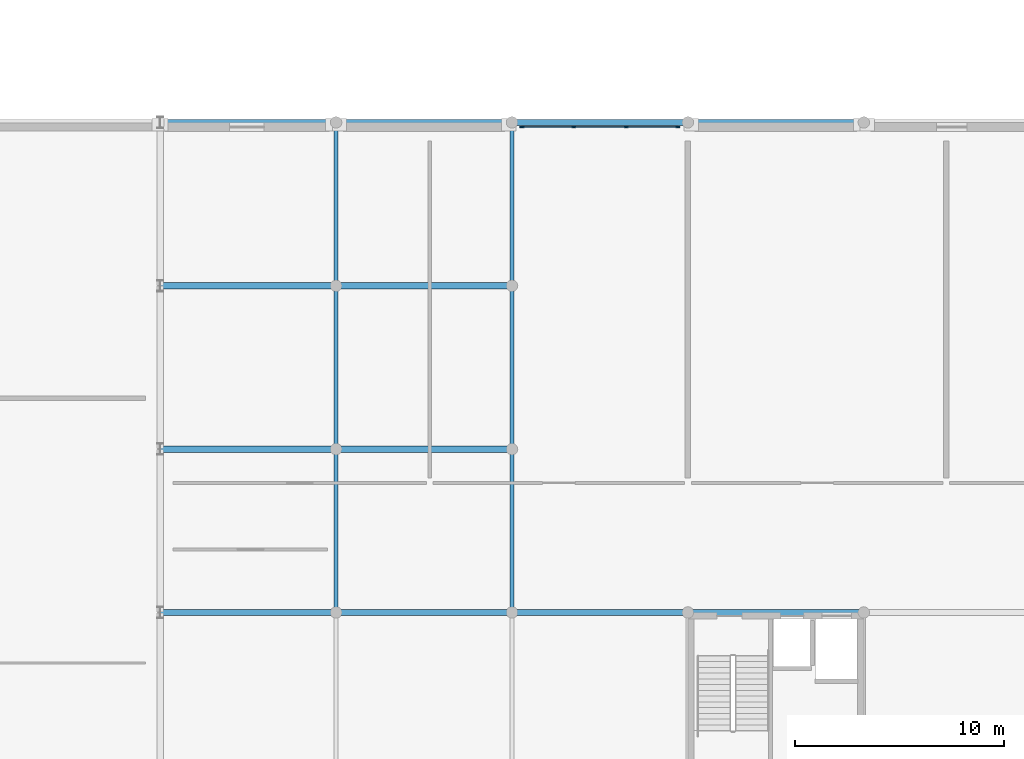
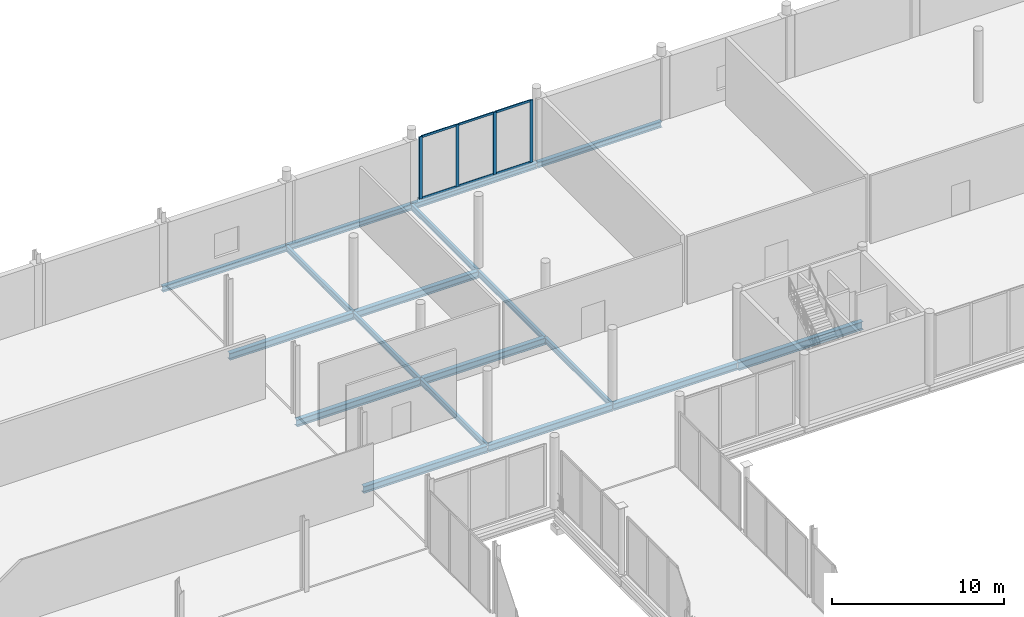
# One storey, part 51 of 105: 18 beams, 10 members, 1 element without a shape of its own.
"""IFC4 building model written with IfcOpenShell, lengths in metres."""

import ifcopenshell
import ifcopenshell.guid

model = None  # the IFC model being written
_history = None  # IfcOwnerHistory: only IFC2X3 demands one
_inside = {}  # id of a spatial element -> (the spatial element, [elements in it])
_under = {}  # id of a project, library or spatial element -> (it, [spatial elements below it])
_declared = {}  # id of a project -> (the project, [libraries it declares])
_typed = {}  # id of a type object -> (the type object, [elements of that type])
_made_of = {}  # id of a material, layer set ... -> (it, [elements and type objects made of it])


def new_model(schema):
    """Start an empty IFC model of exactly this schema.

    Asked for "IFC4X3", IfcOpenShell would pick the latest addendum, in which some entities
    have other attributes; the version numbers below select the first issue.
    IFC2X3 requires an IfcOwnerHistory on every rooted entity: one is made here for all.
    """
    global model, _history
    if schema == "IFC4X3":
        model = ifcopenshell.file(schema_version=(4, 3, 0, 0))
    else:
        model = ifcopenshell.file(schema=schema)
    _inside.clear()
    _under.clear()
    _declared.clear()
    _typed.clear()
    _made_of.clear()
    _history = None
    if model.schema == "IFC2X3":
        org = make("IfcOrganization", Name="unknown")
        user = make(
            "IfcPersonAndOrganization",
            ThePerson=make("IfcPerson", FamilyName="unknown"),
            TheOrganization=org,
        )
        app = make(
            "IfcApplication",
            ApplicationDeveloper=org,
            Version="unknown",
            ApplicationFullName="unknown",
            ApplicationIdentifier="unknown",
        )
        _history = make(
            "IfcOwnerHistory",
            OwningUser=user,
            OwningApplication=app,
            ChangeAction="ADDED",
            CreationDate=0,
        )
    return model


def make(cls, **values):
    """One entity of the class cls with the attributes given. An attribute that is None is left unset."""
    return model.create_entity(
        cls, **{name: value for name, value in values.items() if value is not None}
    )


def rooted(cls, **values):
    """An entity with a GlobalId (a new one), such as an element, a storey or a relation."""
    return make(cls, GlobalId=ifcopenshell.guid.new(), OwnerHistory=_history, **values)


def si_unit(unit_type, name, prefix=None):
    """IfcSIUnit, for example si_unit("LENGTHUNIT", "METRE", prefix="MILLI")."""
    return make("IfcSIUnit", UnitType=unit_type, Prefix=prefix, Name=name)


def assignment(units):
    """IfcUnitAssignment: the units of a project."""
    return None if units is None else make("IfcUnitAssignment", Units=units)


def point(xyz):
    """IfcCartesianPoint."""
    return None if xyz is None else make("IfcCartesianPoint", Coordinates=xyz)


def direction(xyz):
    """IfcDirection."""
    return None if xyz is None else make("IfcDirection", DirectionRatios=xyz)


def frame(location, z_axis=None, x_axis=None):
    """IfcAxis2Placement3D, a coordinate frame: its origin and axes. An axis left out is left unset."""
    return make(
        "IfcAxis2Placement3D",
        Location=point(location),
        Axis=direction(z_axis),
        RefDirection=direction(x_axis),
    )


def frame_2d(location, x_axis=None):
    """IfcAxis2Placement2D, a coordinate frame in the plane: its origin and x axis."""
    return make(
        "IfcAxis2Placement2D", Location=point(location), RefDirection=direction(x_axis)
    )


def origin():
    """The frame at (0, 0, 0) with its axes left unset."""
    return frame((0.0, 0.0, 0.0))


def origin_2d():
    """The frame at (0, 0) in the plane with its x axis left unset."""
    return frame_2d((0.0, 0.0))


def place(relative_to, where):
    """IfcLocalPlacement: puts the frame where relative to a parent placement (None: the world)."""
    return make(
        "IfcLocalPlacement", PlacementRelTo=relative_to, RelativePlacement=where
    )


def context(
    kind, dimensions, precision=None, world=None, true_north=None, identifier=None
):
    """IfcGeometricRepresentationContext, for example the 3D "Model" context."""
    return make(
        "IfcGeometricRepresentationContext",
        ContextIdentifier=identifier,
        ContextType=kind,
        CoordinateSpaceDimension=dimensions,
        Precision=precision,
        WorldCoordinateSystem=world,
        TrueNorth=true_north,
    )


def subcontext(parent, identifier, kind, view, scale=None):
    """IfcGeometricRepresentationSubContext, for example "Body" below "Model"."""
    return make(
        "IfcGeometricRepresentationSubContext",
        ContextIdentifier=identifier,
        ContextType=kind,
        ParentContext=parent,
        TargetScale=scale,
        TargetView=view,
    )


def project(units=None, contexts=None):
    """IfcProject with its units and contexts."""
    return rooted(
        "IfcProject",
        Name="project",
        RepresentationContexts=contexts,
        UnitsInContext=assignment(units),
    )


def spatial(cls, under=None, at=None, **own):
    """A site, building, storey or space (cls), placed at a placement, below another one or the project."""
    s = rooted(cls, ObjectPlacement=at, **own)
    if under is not None:
        _under.setdefault(under.id(), (under, []))[1].append(s)
    return s


def profile(cls, at=None, kind="AREA", **sizes):
    """A parametric profile (cls). Its sizes go by their IFC names, for example OverallWidth=200.0."""
    return make(cls, ProfileType=kind, Position=at, **sizes)


def rectangle(**sizes):
    """IfcRectangleProfileDef."""
    return profile("IfcRectangleProfileDef", **sizes)


def i_section(**sizes):
    """IfcIShapeProfileDef."""
    return profile("IfcIShapeProfileDef", **sizes)


def extrude(swept, where, along, depth):
    """IfcExtrudedAreaSolid: the profile swept, set in the frame where, extruded along a direction by depth."""
    return make(
        "IfcExtrudedAreaSolid",
        SweptArea=swept,
        Position=where,
        ExtrudedDirection=direction(along),
        Depth=depth,
    )


def shape(context_of_items, identifier, shape_type, items):
    """IfcShapeRepresentation: the items that make up one representation, for example the "Body"."""
    return make(
        "IfcShapeRepresentation",
        ContextOfItems=context_of_items,
        RepresentationIdentifier=identifier,
        RepresentationType=shape_type,
        Items=items,
    )


def material(Name=None, Category=None):
    """IfcMaterial."""
    return make("IfcMaterial", Name=Name, Category=Category)


def material_profile(
    of_material, cross_section, Name=None, Category=None, Priority=None
):
    """IfcMaterialProfile: a cross section and its material."""
    return make(
        "IfcMaterialProfile",
        Name=Name,
        Material=of_material,
        Profile=cross_section,
        Priority=Priority,
        Category=Category,
    )


def profile_set(profiles, Name=None, composite=None):
    """IfcMaterialProfileSet."""
    return make(
        "IfcMaterialProfileSet",
        Name=Name,
        MaterialProfiles=profiles,
        CompositeProfile=composite,
    )


def made_of(thing, what):
    """Note that an element or type object is made of a material, layer set ...; save() writes the relation."""
    if what is not None:
        _made_of.setdefault(what.id(), (what, []))[1].append(thing)
    return thing


def type_object(cls, material=None, **own):
    """A type object (cls), such as IfcWallType, which elements share."""
    return made_of(rooted(cls, **own), material)


def element(
    cls,
    number,
    at=None,
    inside=None,
    cuts=None,
    type_object=None,
    material=None,
    context=None,
    identifier="Body",
    shape_type=None,
    held_by="IfcProductDefinitionShape",
    body=None,
    shapes=None,
    **own,
):
    """One element of the class cls, such as IfcWall. Its Tag is "e" and its number.

    at: its placement. inside: the storey or other place that contains it. cuts: it is an
    opening in that element (IfcRelVoidsElement). A single representation is given by context,
    identifier, shape_type and body (its items); several are given by shapes. held_by: the class
    of the entity that holds the representations. save() writes the other relations.
    """
    e = rooted(cls, Tag="e%d" % number, ObjectPlacement=at, **own)
    if body is not None:
        shapes = [shape(context, identifier, shape_type, body)]
    if shapes is not None:
        e.Representation = make(held_by, Representations=shapes)
    if inside is not None:
        _inside.setdefault(inside.id(), (inside, []))[1].append(e)
    if cuts is not None:
        rooted(
            "IfcRelVoidsElement", RelatingBuildingElement=cuts, RelatedOpeningElement=e
        )
    if type_object is not None:
        _typed.setdefault(type_object.id(), (type_object, []))[1].append(e)
    return made_of(e, material)


def aggregate(whole, parts):
    """IfcRelAggregates: a whole, such as a stair, and the parts it consists of."""
    return rooted("IfcRelAggregates", RelatingObject=whole, RelatedObjects=parts)


def save(model, path):
    """Write the relations noted so far, then the file.

    IfcRelAggregates (storeys below a building ...), IfcRelContainedInSpatialStructure (elements
    in a storey), IfcRelDefinesByType, IfcRelAssociatesMaterial and IfcRelDeclares: one each for
    every whole, place, type object, material and project.
    """
    for whole, parts in _under.values():
        aggregate(whole, parts)
    for where, things in _inside.values():
        rooted(
            "IfcRelContainedInSpatialStructure",
            RelatedElements=things,
            RelatingStructure=where,
        )
    for kind, things in _typed.values():
        rooted("IfcRelDefinesByType", RelatedObjects=things, RelatingType=kind)
    for what, things in _made_of.values():
        rooted("IfcRelAssociatesMaterial", RelatedObjects=things, RelatingMaterial=what)
    for by, libraries in _declared.values():
        rooted("IfcRelDeclares", RelatingContext=by, RelatedDefinitions=libraries)
    model.write(path)


model = new_model("IFC4")

# Units and contexts
model_context = context("Model", 3, precision=1e-05, world=origin(), true_north=direction((0.0, 1.0)))
body_context = subcontext(model_context, "Body", "Model", "MODEL_VIEW")
ifc_project = project(units=[si_unit("LENGTHUNIT", "METRE"), si_unit("AREAUNIT", "SQUARE_METRE"), si_unit("VOLUMEUNIT", "CUBIC_METRE"), si_unit("PLANEANGLEUNIT", "RADIAN"), si_unit("MASSUNIT", "GRAM", prefix="KILO")], contexts=[model_context])

# Site, building, storey
site_placement = place(None, origin())
site = spatial("IfcSite", under=ifc_project, at=site_placement, CompositionType="ELEMENT")
building_placement = place(site_placement, origin())
building = spatial("IfcBuilding", under=site, at=building_placement, Name="Nabrawat Pavilion Hospital", CompositionType="ELEMENT")
storey_placement = place(building_placement, frame((0.0, 0.0, 5.10009765625)))
storey = spatial("IfcBuildingStorey", under=building, at=storey_placement, Name="L01", CompositionType="ELEMENT", Elevation=5.10009765625)

# Beam
ifc_material_1 = material(Name="Steel S355", Category="steel")
ifc_material_profile_1 = material_profile(ifc_material_1, i_section(OverallWidth=0.300048828125, OverallDepth=0.590087890625, WebThickness=0.012939453125, FlangeThickness=0.02490234375, FilletRadius=0.027099609375, at=origin_2d()), Name="HEA 600")
ifc_profile_set_1 = profile_set([ifc_material_profile_1], Name="Steel S355")
beam_type_1 = type_object("IfcBeamType", Name="Diagnostic Long-Span Girder HEA 600", PredefinedType="USERDEFINED", material=ifc_profile_set_1)
beam_1_placement = place(storey_placement, frame((84.02001953125, 93.60009765625, -0.5751953125), z_axis=(1.0, 0.0, 0.0), x_axis=(0.0, 1.0, 0.0)))
element("IfcBeam", 1, at=beam_1_placement, inside=storey, type_object=beam_type_1, Name="L01 Primary X Girder 628", ObjectType="GIRDER", PredefinedType="USERDEFINED", context=body_context, shape_type="SweptSolid", body=[
    extrude(i_section(OverallWidth=0.300048828125, OverallDepth=0.590087890625, WebThickness=0.012939453125, FlangeThickness=0.02490234375, FilletRadius=0.027099609375, at=origin_2d()), origin(), (0.0, 0.0, 1.0), 8.35986328125),
])

# Curtain wall, members
ifc_material_2 = material(Name="Anodised Aluminium", Category="aluminium")
curtain_wall_type = type_object("IfcCurtainWallType", Name="Emergency Concourse Glazed Screen", PredefinedType="USERDEFINED", material=ifc_material_2)
curtain_wall_placement = place(storey_placement, origin())
curtain_wall = element("IfcCurtainWall", 2, at=curtain_wall_placement, inside=storey, type_object=curtain_wall_type, Name="L01 Emergency Concourse Glazed Screen 051", ObjectType="CURTAIN WALL", PredefinedType="USERDEFINED")
ifc_material_profile_2 = material_profile(ifc_material_2, rectangle(XDim=0.070068359375, YDim=0.199951171875, at=origin_2d()), Name="CWM 70x200")
ifc_profile_set_2 = profile_set([ifc_material_profile_2], Name="Anodised Aluminium")
member_type_1 = type_object("IfcMemberType", Name="Emergency Concourse Glazed Screen Mullion CWM 70x200", PredefinedType="MULLION", material=ifc_profile_set_2)
member_1_placement = place(storey_placement, frame((76.080078125, 116.780029296875, 0.0), z_axis=(0.0, 0.0, 1.0), x_axis=(0.0, 1.0, 0.0)))
member_1 = element("IfcMember", 3, at=member_1_placement, type_object=member_type_1, Name="CW-ED-01 mullion 1", PredefinedType="MULLION", context=body_context, shape_type="SweptSolid", body=[
    extrude(rectangle(XDim=0.070068359375, YDim=0.199951171875, at=origin_2d()), origin(), (0.0, 0.0, 1.0), 4.429931640625),
])
member_2_placement = place(storey_placement, frame((78.54833984375, 116.780029296875, 0.0), z_axis=(0.0, 0.0, 1.0), x_axis=(0.0, 1.0, 0.0)))
member_2 = element("IfcMember", 4, at=member_2_placement, type_object=member_type_1, Name="CW-ED-01 mullion 2", PredefinedType="MULLION", context=body_context, shape_type="SweptSolid", body=[
    extrude(rectangle(XDim=0.070068359375, YDim=0.199951171875, at=origin_2d()), origin(), (0.0, 0.0, 1.0), 4.429931640625),
])
member_3_placement = place(storey_placement, frame((81.0517578125, 116.780029296875, 0.0), z_axis=(0.0, 0.0, 1.0), x_axis=(0.0, 1.0, 0.0)))
member_3 = element("IfcMember", 5, at=member_3_placement, type_object=member_type_1, Name="CW-ED-01 mullion 3", PredefinedType="MULLION", context=body_context, shape_type="SweptSolid", body=[
    extrude(rectangle(XDim=0.070068359375, YDim=0.199951171875, at=origin_2d()), origin(), (0.0, 0.0, 1.0), 4.429931640625),
])
member_4_placement = place(storey_placement, frame((83.52001953125, 116.780029296875, 0.0), z_axis=(0.0, 0.0, 1.0), x_axis=(0.0, 1.0, 0.0)))
member_4 = element("IfcMember", 6, at=member_4_placement, type_object=member_type_1, Name="CW-ED-01 mullion 4", PredefinedType="MULLION", context=body_context, shape_type="SweptSolid", body=[
    extrude(rectangle(XDim=0.070068359375, YDim=0.199951171875, at=origin_2d()), origin(), (0.0, 0.0, 1.0), 4.429931640625),
])
ifc_material_profile_3 = material_profile(ifc_material_2, rectangle(XDim=0.070068359375, YDim=0.14990234375, at=origin_2d()), Name="CWT 70x150")
ifc_profile_set_3 = profile_set([ifc_material_profile_3], Name="Anodised Aluminium")
member_type_2 = type_object("IfcMemberType", Name="Emergency Concourse Glazed Screen Transom CWT 70x150", PredefinedType="USERDEFINED", material=ifc_profile_set_3)
member_5_placement = place(storey_placement, frame((76.114990234375, 116.780029296875, 0.034912109375), z_axis=(1.0, 0.0, 0.0), x_axis=(0.0, 1.0, 0.0)))
member_5 = element("IfcMember", 7, at=member_5_placement, type_object=member_type_2, Name="CW-ED-01 transom 1.1", ObjectType="TRANSOM", PredefinedType="USERDEFINED", context=body_context, shape_type="SweptSolid", body=[
    extrude(rectangle(XDim=0.070068359375, YDim=0.14990234375, at=origin_2d()), origin(), (0.0, 0.0, 1.0), 2.3984375),
])
member_6_placement = place(storey_placement, frame((76.114990234375, 116.780029296875, 4.39501953125), z_axis=(1.0, 0.0, 0.0), x_axis=(0.0, 1.0, 0.0)))
member_6 = element("IfcMember", 8, at=member_6_placement, type_object=member_type_2, Name="CW-ED-01 transom 1.2", ObjectType="TRANSOM", PredefinedType="USERDEFINED", context=body_context, shape_type="SweptSolid", body=[
    extrude(rectangle(XDim=0.070068359375, YDim=0.14990234375, at=origin_2d()), origin(), (0.0, 0.0, 1.0), 2.3984375),
])
member_7_placement = place(storey_placement, frame((78.583251953125, 116.780029296875, 0.034912109375), z_axis=(1.0, 0.0, 0.0), x_axis=(0.0, 1.0, 0.0)))
member_7 = element("IfcMember", 9, at=member_7_placement, type_object=member_type_2, Name="CW-ED-01 transom 2.1", ObjectType="TRANSOM", PredefinedType="USERDEFINED", context=body_context, shape_type="SweptSolid", body=[
    extrude(rectangle(XDim=0.070068359375, YDim=0.14990234375, at=origin_2d()), origin(), (0.0, 0.0, 1.0), 2.433349609375),
])
member_8_placement = place(storey_placement, frame((78.583251953125, 116.780029296875, 4.39501953125), z_axis=(1.0, 0.0, 0.0), x_axis=(0.0, 1.0, 0.0)))
member_8 = element("IfcMember", 10, at=member_8_placement, type_object=member_type_2, Name="CW-ED-01 transom 2.2", ObjectType="TRANSOM", PredefinedType="USERDEFINED", context=body_context, shape_type="SweptSolid", body=[
    extrude(rectangle(XDim=0.070068359375, YDim=0.14990234375, at=origin_2d()), origin(), (0.0, 0.0, 1.0), 2.433349609375),
])
member_9_placement = place(storey_placement, frame((81.086669921875, 116.780029296875, 0.034912109375), z_axis=(1.0, 0.0, 0.0), x_axis=(0.0, 1.0, 0.0)))
member_9 = element("IfcMember", 11, at=member_9_placement, type_object=member_type_2, Name="CW-ED-01 transom 3.1", ObjectType="TRANSOM", PredefinedType="USERDEFINED", context=body_context, shape_type="SweptSolid", body=[
    extrude(rectangle(XDim=0.070068359375, YDim=0.14990234375, at=origin_2d()), origin(), (0.0, 0.0, 1.0), 2.3984375),
])
member_10_placement = place(storey_placement, frame((81.086669921875, 116.780029296875, 4.39501953125), z_axis=(1.0, 0.0, 0.0), x_axis=(0.0, 1.0, 0.0)))
member_10 = element("IfcMember", 12, at=member_10_placement, type_object=member_type_2, Name="CW-ED-01 transom 3.2", ObjectType="TRANSOM", PredefinedType="USERDEFINED", context=body_context, shape_type="SweptSolid", body=[
    extrude(rectangle(XDim=0.070068359375, YDim=0.14990234375, at=origin_2d()), origin(), (0.0, 0.0, 1.0), 2.3984375),
])
aggregate(curtain_wall, [member_1, member_2, member_3, member_4, member_5, member_6, member_7, member_8, member_9, member_10])

# Beams
ifc_material_profile_4 = material_profile(ifc_material_1, i_section(OverallWidth=0.300048828125, OverallDepth=0.389892578125, WebThickness=0.010986328125, FlangeThickness=0.01904296875, FilletRadius=0.027099609375, at=origin_2d()), Name="HEA 400")
ifc_profile_set_4 = profile_set([ifc_material_profile_4], Name="Steel S355")
beam_type_2 = type_object("IfcBeamType", Name="Perimeter Moment Spandrel Beam HEA 400", PredefinedType="SPANDREL", material=ifc_profile_set_4)
beam_2_placement = place(storey_placement, frame((58.820068359375, 117.0, -0.47509765625), z_axis=(1.0, 0.0, 0.0), x_axis=(0.0, 1.0, 0.0)))
element("IfcBeam", 13, at=beam_2_placement, inside=storey, type_object=beam_type_2, Name="L01 Primary X Girder 670", PredefinedType="SPANDREL", context=body_context, shape_type="SweptSolid", body=[
    extrude(i_section(OverallWidth=0.300048828125, OverallDepth=0.389892578125, WebThickness=0.010986328125, FlangeThickness=0.01904296875, FilletRadius=0.027099609375, at=origin_2d()), origin(), (0.0, 0.0, 1.0), 8.35986328125),
])
beam_3_placement = place(storey_placement, frame((67.219970703125, 117.0, -0.47509765625), z_axis=(1.0, 0.0, 0.0), x_axis=(0.0, 1.0, 0.0)))
element("IfcBeam", 14, at=beam_3_placement, inside=storey, type_object=beam_type_2, Name="L01 Primary X Girder 671", PredefinedType="SPANDREL", context=body_context, shape_type="SweptSolid", body=[
    extrude(i_section(OverallWidth=0.300048828125, OverallDepth=0.389892578125, WebThickness=0.010986328125, FlangeThickness=0.01904296875, FilletRadius=0.027099609375, at=origin_2d()), origin(), (0.0, 0.0, 1.0), 8.360107421875),
])
for number, where, z_axis, x_axis, name in (
    (15, (75.6201171875, 117.0, -0.47509765625), (1.0, 0.0, 0.0), (0.0, 1.0, 0.0), "L01 Primary X Girder 672"),
    (16, (84.02001953125, 117.0, -0.47509765625), (1.0, 0.0, 0.0), (0.0, 1.0, 0.0), "L01 Primary X Girder 673"),
):
    element("IfcBeam", number, at=place(storey_placement, frame(where, z_axis=z_axis, x_axis=x_axis)), inside=storey, type_object=beam_type_2, Name=name, PredefinedType="SPANDREL", context=body_context, shape_type="SweptSolid", body=[
        extrude(i_section(OverallWidth=0.300048828125, OverallDepth=0.389892578125, WebThickness=0.010986328125, FlangeThickness=0.01904296875, FilletRadius=0.027099609375, at=origin_2d()), origin(), (0.0, 0.0, 1.0), 8.35986328125),
    ])
ifc_material_profile_5 = material_profile(ifc_material_1, i_section(OverallWidth=0.300048828125, OverallDepth=0.489990234375, WebThickness=0.011962890625, FlangeThickness=0.02294921875, FilletRadius=0.027099609375, at=origin_2d()), Name="HEA 500")
ifc_profile_set_5 = profile_set([ifc_material_profile_5], Name="Steel S355")
beam_type_3 = type_object("IfcBeamType", Name="Primary Floor Girder HEA 500", PredefinedType="USERDEFINED", material=ifc_profile_set_5)
beam_4_placement = place(storey_placement, frame((58.820068359375, 93.60009765625, -0.525146484375), z_axis=(1.0, 0.0, 0.0), x_axis=(0.0, 1.0, 0.0)))
element("IfcBeam", 17, at=beam_4_placement, inside=storey, type_object=beam_type_3, Name="L01 Primary X Girder 625", ObjectType="GIRDER", PredefinedType="USERDEFINED", context=body_context, shape_type="SweptSolid", body=[
    extrude(i_section(OverallWidth=0.300048828125, OverallDepth=0.489990234375, WebThickness=0.011962890625, FlangeThickness=0.02294921875, FilletRadius=0.027099609375, at=origin_2d()), origin(), (0.0, 0.0, 1.0), 8.35986328125),
])
beam_5_placement = place(storey_placement, frame((67.219970703125, 93.60009765625, -0.525146484375), z_axis=(1.0, 0.0, 0.0), x_axis=(0.0, 1.0, 0.0)))
element("IfcBeam", 18, at=beam_5_placement, inside=storey, type_object=beam_type_3, Name="L01 Primary X Girder 626", ObjectType="GIRDER", PredefinedType="USERDEFINED", context=body_context, shape_type="SweptSolid", body=[
    extrude(i_section(OverallWidth=0.300048828125, OverallDepth=0.489990234375, WebThickness=0.011962890625, FlangeThickness=0.02294921875, FilletRadius=0.027099609375, at=origin_2d()), origin(), (0.0, 0.0, 1.0), 8.360107421875),
])
for number, where, z_axis, x_axis, name in (
    (19, (75.6201171875, 93.60009765625, -0.525146484375), (1.0, 0.0, 0.0), (0.0, 1.0, 0.0), "L01 Primary X Girder 627"),
    (20, (58.820068359375, 101.39990234375, -0.525146484375), (1.0, 0.0, 0.0), (0.0, 1.0, 0.0), "L01 Primary X Girder 641"),
):
    element("IfcBeam", number, at=place(storey_placement, frame(where, z_axis=z_axis, x_axis=x_axis)), inside=storey, type_object=beam_type_3, Name=name, ObjectType="GIRDER", PredefinedType="USERDEFINED", context=body_context, shape_type="SweptSolid", body=[
        extrude(i_section(OverallWidth=0.300048828125, OverallDepth=0.489990234375, WebThickness=0.011962890625, FlangeThickness=0.02294921875, FilletRadius=0.027099609375, at=origin_2d()), origin(), (0.0, 0.0, 1.0), 8.35986328125),
    ])
beam_6_placement = place(storey_placement, frame((67.219970703125, 101.39990234375, -0.525146484375), z_axis=(1.0, 0.0, 0.0), x_axis=(0.0, 1.0, 0.0)))
element("IfcBeam", 21, at=beam_6_placement, inside=storey, type_object=beam_type_3, Name="L01 Primary X Girder 642", ObjectType="GIRDER", PredefinedType="USERDEFINED", context=body_context, shape_type="SweptSolid", body=[
    extrude(i_section(OverallWidth=0.300048828125, OverallDepth=0.489990234375, WebThickness=0.011962890625, FlangeThickness=0.02294921875, FilletRadius=0.027099609375, at=origin_2d()), origin(), (0.0, 0.0, 1.0), 8.360107421875),
])
beam_7_placement = place(storey_placement, frame((58.820068359375, 109.199951171875, -0.525146484375), z_axis=(1.0, 0.0, 0.0), x_axis=(0.0, 1.0, 0.0)))
element("IfcBeam", 22, at=beam_7_placement, inside=storey, type_object=beam_type_3, Name="L01 Primary X Girder 653", ObjectType="GIRDER", PredefinedType="USERDEFINED", context=body_context, shape_type="SweptSolid", body=[
    extrude(i_section(OverallWidth=0.300048828125, OverallDepth=0.489990234375, WebThickness=0.011962890625, FlangeThickness=0.02294921875, FilletRadius=0.027099609375, at=origin_2d()), origin(), (0.0, 0.0, 1.0), 8.35986328125),
])
beam_8_placement = place(storey_placement, frame((67.219970703125, 109.199951171875, -0.525146484375), z_axis=(1.0, 0.0, 0.0), x_axis=(0.0, 1.0, 0.0)))
element("IfcBeam", 23, at=beam_8_placement, inside=storey, type_object=beam_type_3, Name="L01 Primary X Girder 654", ObjectType="GIRDER", PredefinedType="USERDEFINED", context=body_context, shape_type="SweptSolid", body=[
    extrude(i_section(OverallWidth=0.300048828125, OverallDepth=0.489990234375, WebThickness=0.011962890625, FlangeThickness=0.02294921875, FilletRadius=0.027099609375, at=origin_2d()), origin(), (0.0, 0.0, 1.0), 8.360107421875),
])
ifc_material_profile_6 = material_profile(ifc_material_1, i_section(OverallWidth=0.179931640625, OverallDepth=0.39990234375, WebThickness=0.008544921875, FlangeThickness=0.013427734375, FilletRadius=0.02099609375, at=origin_2d()), Name="IPE 400")
ifc_profile_set_6 = profile_set([ifc_material_profile_6], Name="Steel S355")
beam_type_4 = type_object("IfcBeamType", Name="Standard Y Floor Beam IPE 400", PredefinedType="BEAM", material=ifc_profile_set_6)
beam_9_placement = place(storey_placement, frame((67.199951171875, 93.6201171875, -0.47998046875), z_axis=(0.0, 1.0, 0.0), x_axis=(-1.0, 0.0, 0.0)))
element("IfcBeam", 24, at=beam_9_placement, inside=storey, type_object=beam_type_4, Name="L01 Primary Y Beam 766", PredefinedType="BEAM", context=body_context, shape_type="SweptSolid", body=[
    extrude(i_section(OverallWidth=0.179931640625, OverallDepth=0.39990234375, WebThickness=0.008544921875, FlangeThickness=0.013427734375, FilletRadius=0.02099609375, at=origin_2d()), origin(), (0.0, 0.0, 1.0), 7.759765625),
])
for number, where, z_axis, x_axis, name in (
    (25, (67.199951171875, 101.419921875, -0.47998046875), (0.0, 1.0, 0.0), (-1.0, 0.0, 0.0), "L01 Primary Y Beam 767"),
    (26, (67.199951171875, 109.219970703125, -0.47998046875), (0.0, 1.0, 0.0), (-1.0, 0.0, 0.0), "L01 Primary Y Beam 768"),
):
    element("IfcBeam", number, at=place(storey_placement, frame(where, z_axis=z_axis, x_axis=x_axis)), inside=storey, type_object=beam_type_4, Name=name, PredefinedType="BEAM", context=body_context, shape_type="SweptSolid", body=[
        extrude(i_section(OverallWidth=0.179931640625, OverallDepth=0.39990234375, WebThickness=0.008544921875, FlangeThickness=0.013427734375, FilletRadius=0.02099609375, at=origin_2d()), origin(), (0.0, 0.0, 1.0), 7.760009765625),
    ])
beam_10_placement = place(storey_placement, frame((75.60009765625, 93.6201171875, -0.47998046875), z_axis=(0.0, 1.0, 0.0), x_axis=(-1.0, 0.0, 0.0)))
element("IfcBeam", 27, at=beam_10_placement, inside=storey, type_object=beam_type_4, Name="L01 Primary Y Beam 775", PredefinedType="BEAM", context=body_context, shape_type="SweptSolid", body=[
    extrude(i_section(OverallWidth=0.179931640625, OverallDepth=0.39990234375, WebThickness=0.008544921875, FlangeThickness=0.013427734375, FilletRadius=0.02099609375, at=origin_2d()), origin(), (0.0, 0.0, 1.0), 7.759765625),
])
for number, where, z_axis, x_axis, name in (
    (28, (75.60009765625, 101.419921875, -0.47998046875), (0.0, 1.0, 0.0), (-1.0, 0.0, 0.0), "L01 Primary Y Beam 776"),
    (29, (75.60009765625, 109.219970703125, -0.47998046875), (0.0, 1.0, 0.0), (-1.0, 0.0, 0.0), "L01 Primary Y Beam 777"),
):
    element("IfcBeam", number, at=place(storey_placement, frame(where, z_axis=z_axis, x_axis=x_axis)), inside=storey, type_object=beam_type_4, Name=name, PredefinedType="BEAM", context=body_context, shape_type="SweptSolid", body=[
        extrude(i_section(OverallWidth=0.179931640625, OverallDepth=0.39990234375, WebThickness=0.008544921875, FlangeThickness=0.013427734375, FilletRadius=0.02099609375, at=origin_2d()), origin(), (0.0, 0.0, 1.0), 7.760009765625),
    ])

save(model, "model.ifc")
